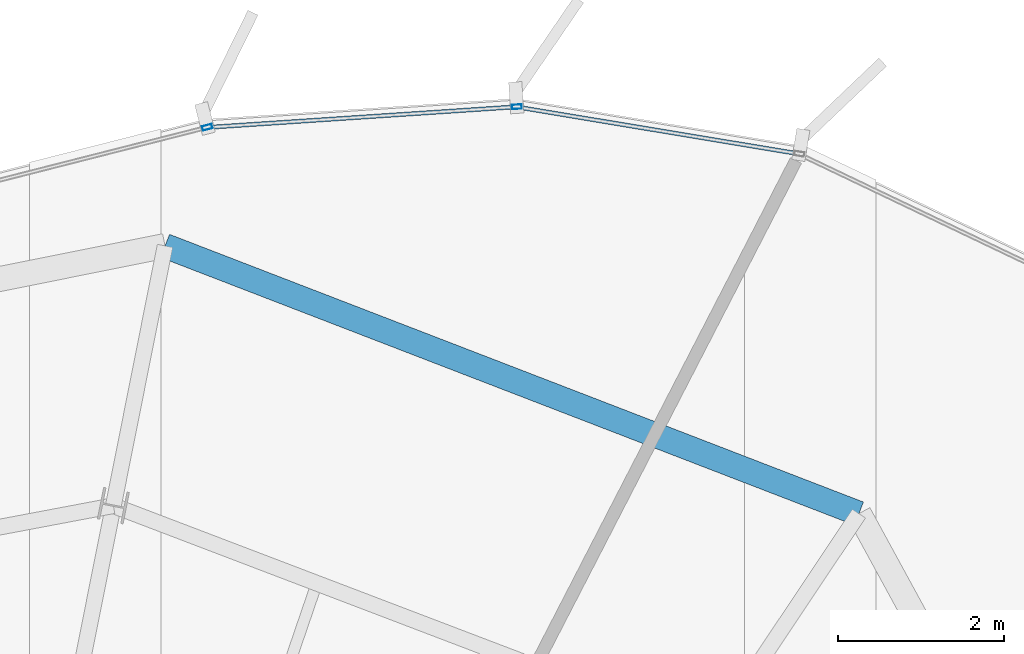
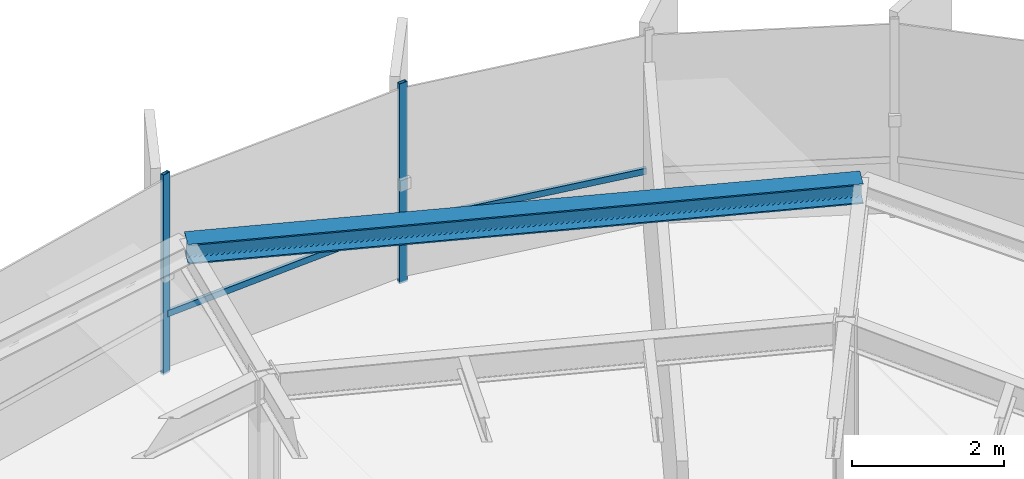
# One storey, part 23 of 34: 4 members, 1 beam, 1 element without a shape of its own.
"""IFC4 building model written with IfcOpenShell, lengths in metres."""

from ifc_helpers import new_model, si_unit, direction, frame, origin, origin_2d, place, context, subcontext, project, spatial, hollow_rectangle, i_section, extrude, source, transform, mapped, material, layer, layer_set, material_profile, profile_set, type_object, element, aggregate, save


model = new_model("IFC4")

# Units and contexts
model_context = context("Model", 3, precision=1e-05, world=origin(), true_north=direction((0.0, 1.0)))
body_context = subcontext(model_context, "Body", "Model", "MODEL_VIEW")
ifc_project = project(units=[si_unit("LENGTHUNIT", "METRE"), si_unit("AREAUNIT", "SQUARE_METRE"), si_unit("VOLUMEUNIT", "CUBIC_METRE"), si_unit("PLANEANGLEUNIT", "RADIAN"), si_unit("MASSUNIT", "GRAM", prefix="KILO"), si_unit("THERMODYNAMICTEMPERATUREUNIT", "KELVIN")], contexts=[model_context])

# Site, building, storey
site_placement = place(None, origin())
site = spatial("IfcSite", under=ifc_project, at=site_placement, CompositionType="ELEMENT")
building_placement = place(site_placement, origin())
building = spatial("IfcBuilding", under=site, at=building_placement, Name="Kethvar Cultural Tower", CompositionType="ELEMENT")
storey_placement = place(building_placement, frame((0.0, 0.0, 259.449951171875)))
storey = spatial("IfcBuildingStorey", under=building, at=storey_placement, Name="L68", CompositionType="ELEMENT", Elevation=259.449951171875)

# Beam
ifc_material_1 = material(Name="Steel S355J2", Category="steel")
ifc_material_profile_1 = material_profile(ifc_material_1, i_section(OverallWidth=0.300048828125, OverallDepth=0.320068359375, WebThickness=0.011474609375, FlangeThickness=0.0205078125, FilletRadius=0.027099609375, at=origin_2d()), Name="Steel S355J2 — HEB320")
ifc_profile_set_1 = profile_set([ifc_material_profile_1], Name="Steel S355J2 — HEB320")
beam_type = type_object("IfcBeamType", Name="BM-SP320", PredefinedType="SPANDREL", material=ifc_profile_set_1)
shared_shape_1 = source(origin(), body_context, "Body", "SweptSolid", [
    extrude(i_section(OverallWidth=0.300048828125, OverallDepth=0.320068359375, WebThickness=0.011474609375, FlangeThickness=0.0205078125, FilletRadius=0.027099609375, at=origin_2d()), origin(), (0.0, 0.0, 1.0), 8.98583984375),
])
beam_placement = place(storey_placement, frame((59.653076171875, 47.035888671875, 3.048095703125), z_axis=(-0.932983803051, 0.359918356359, 0.0), x_axis=(-0.359918356359, -0.932983803051, 0.0)))
element("IfcBeam", 1, at=beam_placement, inside=storey, type_object=beam_type, Name="L68 Perimeter Spandrel Beam SP-03", PredefinedType="SPANDREL", context=body_context, shape_type="MappedRepresentation", body=[
    mapped(shared_shape_1, transform((0.0, 0.0, 0.0), scale=1.0)),
])

# Curtain wall, members
ifc_material_2 = material(Name="Aluminium 6063-T6", Category="aluminium")
ifc_layer = layer(ifc_material_2, 0.179931640625, Name="Aluminium 6063-T6", Category="aluminium")
ifc_layer_set = layer_set([ifc_layer], Name="Aluminium 6063-T6 (180 mm)")
curtain_wall_type = type_object("IfcCurtainWallType", Name="CW-SYS-05-Z56", PredefinedType="NOTDEFINED", material=ifc_layer_set)
curtain_wall_placement = place(storey_placement, origin())
curtain_wall = element("IfcCurtainWall", 2, at=curtain_wall_placement, inside=storey, type_object=curtain_wall_type, Name="L68 Curtain Wall Run 01", PredefinedType="NOTDEFINED")
ifc_material_profile_2 = material_profile(ifc_material_2, hollow_rectangle(XDim=0.054931640625, YDim=0.1201171875, WallThickness=0.00390625, at=origin_2d()), Name="Aluminium 6063-T6 — RHS120x55x4")
ifc_profile_set_2 = profile_set([ifc_material_profile_2], Name="Aluminium 6063-T6 — RHS120x55x4")
member_type_1 = type_object("IfcMemberType", Name="CW-SYS-05-Z56-MUL", PredefinedType="MULLION", material=ifc_profile_set_2)
shared_shape_2 = source(origin(), body_context, "Body", "SweptSolid", [
    extrude(hollow_rectangle(XDim=0.054931640625, YDim=0.1201171875, WallThickness=0.00390625, at=origin_2d()), origin(), (0.0, 0.0, 1.0), 3.2099609375),
])
member_1_placement = place(storey_placement, frame((55.52001953125, 51.95068359375, 0.0), z_axis=(0.0, 0.0, 1.0), x_axis=(0.066604780247, -0.997779436172, 0.0)))
member_1 = element("IfcMember", 3, at=member_1_placement, type_object=member_type_1, Name="CW-L68-R01 Mullion 3", PredefinedType="MULLION", context=body_context, shape_type="MappedRepresentation", body=[
    mapped(shared_shape_2, transform((0.0, 0.0, 0.0), scale=1.0)),
])
member_2_placement = place(storey_placement, frame((51.779541015625, 51.702880859375, 0.0), z_axis=(0.0, 0.0, 1.0), x_axis=(0.24647468863, -0.969149228893, 0.0)))
member_2 = element("IfcMember", 4, at=member_2_placement, type_object=member_type_1, Name="CW-L68-R01 Mullion 4", PredefinedType="MULLION", context=body_context, shape_type="MappedRepresentation", body=[
    mapped(shared_shape_2, transform((0.0, 0.0, 0.0), scale=1.0)),
])
ifc_material_profile_3 = material_profile(ifc_material_2, hollow_rectangle(XDim=0.050048828125, YDim=0.10009765625, WallThickness=0.00390625, at=origin_2d()), Name="Aluminium 6063-T6 — RHS100x50x4")
ifc_profile_set_3 = profile_set([ifc_material_profile_3], Name="Aluminium 6063-T6 — RHS100x50x4")
member_type_2 = type_object("IfcMemberType", Name="CW-SYS-05-Z56-TRN", PredefinedType="USERDEFINED", material=ifc_profile_set_3)
shared_shape_3 = source(origin(), body_context, "Body", "SweptSolid", [
    extrude(hollow_rectangle(XDim=0.050048828125, YDim=0.10009765625, WallThickness=0.00390625, at=origin_2d()), origin(), (0.0, 0.0, 1.0), 3.404052734375),
])
member_3_placement = place(storey_placement, frame((58.89404296875, 51.387939453125, 0.949951171875), z_axis=(-0.986492601196, 0.163805823419, 0.0), x_axis=(-0.163805823419, -0.986492601196, 0.0)))
member_3 = element("IfcMember", 5, at=member_3_placement, type_object=member_type_2, Name="CW-L68-R01 Transom 2", ObjectType="TRANSOM", PredefinedType="USERDEFINED", context=body_context, shape_type="MappedRepresentation", body=[
    mapped(shared_shape_3, transform((0.0, 0.0, 0.0), scale=1.0)),
])
shared_shape_4 = source(origin(), body_context, "Body", "SweptSolid", [
    extrude(hollow_rectangle(XDim=0.050048828125, YDim=0.10009765625, WallThickness=0.00390625, at=origin_2d()), origin(), (0.0, 0.0, 1.0), 3.6875),
])
member_4_placement = place(storey_placement, frame((55.48046875, 51.9482421875, 0.949951171875), z_axis=(-0.997779294726, -0.06660689917, 0.0), x_axis=(0.06660689917, -0.997779294726, 0.0)))
member_4 = element("IfcMember", 6, at=member_4_placement, type_object=member_type_2, Name="CW-L68-R01 Transom 3", ObjectType="TRANSOM", PredefinedType="USERDEFINED", context=body_context, shape_type="MappedRepresentation", body=[
    mapped(shared_shape_4, transform((0.0, 0.0, 0.0), scale=1.0)),
])
aggregate(curtain_wall, [member_1, member_2, member_3, member_4])

save(model, "model.ifc")
